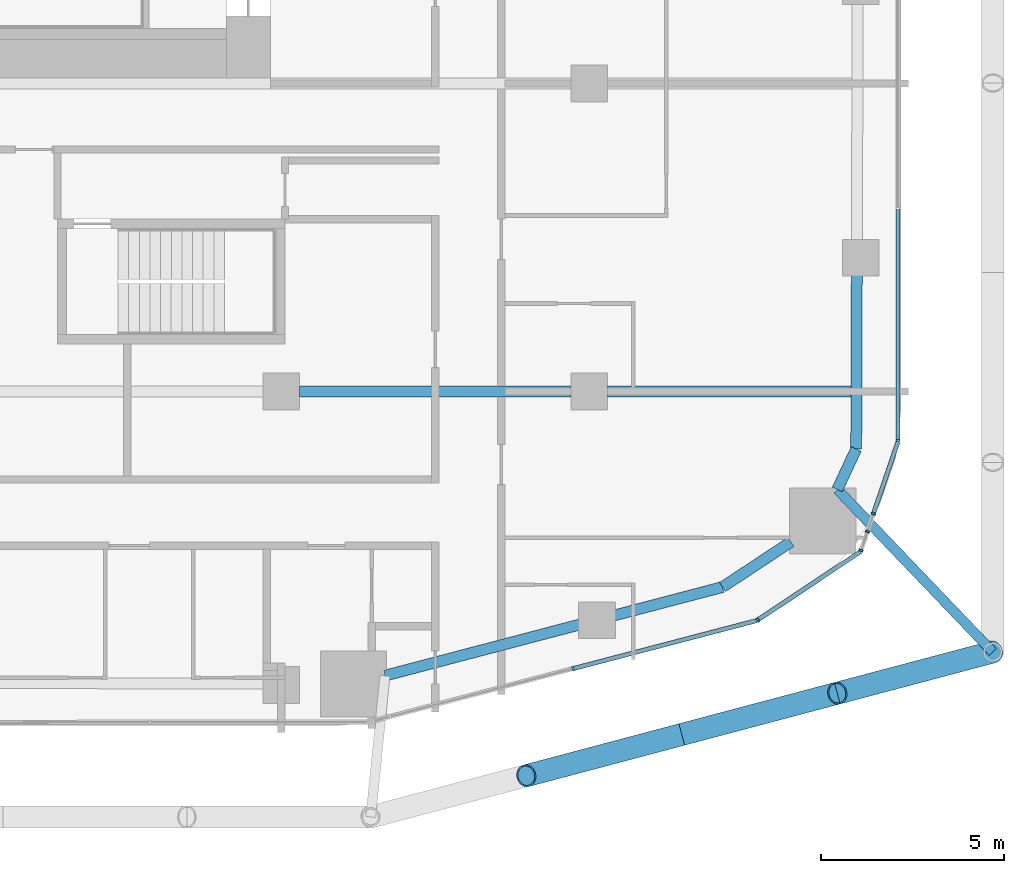
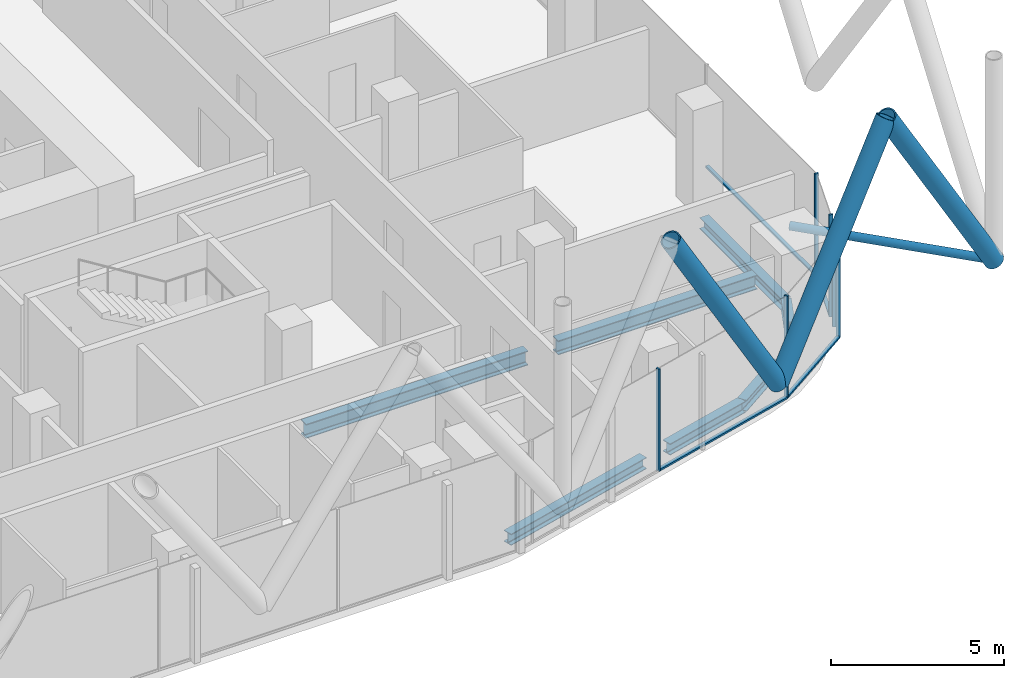
# One storey, part 6 of 34: 14 members, 7 beams, 6 elements without a shape of their own.
"""IFC4 building model written with IfcOpenShell, lengths in metres."""

from ifc_helpers import new_model, si_unit, direction, frame, origin, origin_2d, place, context, subcontext, project, spatial, rectangle, hollow_circle, i_section, extrude, material, layer, layer_set, material_profile, profile_set, type_object, element, aggregate, save


model = new_model("IFC4")

# Units and contexts
model_context = context("Model", 3, precision=1e-05, world=origin(), true_north=direction((0.0, 1.0)))
body_context = subcontext(model_context, "Body", "Model", "MODEL_VIEW")
ifc_project = project(units=[si_unit("LENGTHUNIT", "METRE"), si_unit("AREAUNIT", "SQUARE_METRE"), si_unit("VOLUMEUNIT", "CUBIC_METRE"), si_unit("PLANEANGLEUNIT", "RADIAN"), si_unit("MASSUNIT", "GRAM", prefix="KILO")], contexts=[model_context])

# Site, building, storey
site_placement = place(None, origin())
site = spatial("IfcSite", under=ifc_project, at=site_placement, CompositionType="ELEMENT")
building_placement = place(site_placement, origin())
building = spatial("IfcBuilding", under=site, at=building_placement, Name="Marenta Gate Hotel Tower", CompositionType="ELEMENT")
storey_placement = place(building_placement, frame((0.0, 0.0, 47.300048828125)))
storey = spatial("IfcBuildingStorey", under=building, at=storey_placement, Name="L09", CompositionType="ELEMENT", Elevation=47.300048828125)

# Members
ifc_material_1 = material(Name="Steel S355J2W", Category="steel")
ifc_material_profile_1 = material_profile(ifc_material_1, hollow_circle(Radius=0.304931640625, WallThickness=0.0400390625, at=origin_2d()), Name="CHS 610x40")
ifc_profile_set_1 = profile_set([ifc_material_profile_1], Name="Steel S355J2W")
member_type_1 = type_object("IfcMemberType", Name="Diagrid diagonal Z1 CHS 610x40", PredefinedType="BRACE", material=ifc_profile_set_1)
for number, where, z_axis, x_axis, name in (
    (1, (32.0, -15.500244140625, 3.139892578125), (-0.502925961678, -0.133405107407, 0.853972221087), (0.256391194513, -0.966573098827, 0.0), "L09-DG-11"),
    (2, (23.51953125, -17.75, 3.139892578125), (0.502924018666, 0.133433548941, 0.853968921838), (-0.256443187528, 0.96655930577, 0.0), "L09-DG-12"),
    (3, (23.51953125, -17.75, 3.139892578125), (-0.502924018666, -0.133433548941, 0.853968921838), (0.256443187528, -0.96655930577, 0.0), "L09-DG-13"),
):
    element("IfcMember", number, at=place(storey_placement, frame(where, z_axis=z_axis, x_axis=x_axis)), inside=storey, type_object=member_type_1, Name=name, PredefinedType="BRACE", context=body_context, shape_type="SweptSolid", body=[
        extrude(hollow_circle(Radius=0.304931640625, WallThickness=0.0400390625, at=origin_2d()), origin(), (0.0, 0.0, 1.0), 8.43115234375),
    ])

# Beams
ifc_material_2 = material(Name="Steel S355", Category="steel")
ifc_material_profile_2 = material_profile(ifc_material_2, i_section(OverallWidth=0.300048828125, OverallDepth=0.39990234375, WebThickness=0.013427734375, FlangeThickness=0.02392578125, FilletRadius=0.027099609375, at=origin_2d()), Name="HEB 400")
ifc_profile_set_2 = profile_set([ifc_material_profile_2], Name="Steel S355")
beam_type_1 = type_object("IfcBeamType", Name="Edge beam HEB 400", PredefinedType="SPANDREL", material=ifc_profile_set_2)
beam_1_placement = place(storey_placement, frame((28.291015625, -5.2119140625, -0.4599609375), z_axis=(-0.003337079684, -0.999994431934, 0.0), x_axis=(0.999994431934, -0.003337079684, 0.0)))
element("IfcBeam", 4, at=beam_1_placement, inside=storey, type_object=beam_type_1, Name="L09-EB-27", PredefinedType="SPANDREL", context=body_context, shape_type="SweptSolid", body=[
    extrude(i_section(OverallWidth=0.300048828125, OverallDepth=0.39990234375, WebThickness=0.013427734375, FlangeThickness=0.02392578125, FilletRadius=0.027099609375, at=origin_2d()), origin(), (0.0, 0.0, 1.0), 4.75537109375),
])
beam_2_placement = place(storey_placement, frame((28.275146484375, -9.96728515625, -0.4599609375), z_axis=(-0.423291965192, -0.905993329006, 0.0), x_axis=(0.905993329006, -0.423291965192, 0.0)))
element("IfcBeam", 5, at=beam_2_placement, inside=storey, type_object=beam_type_1, Name="L09-EB-28", PredefinedType="SPANDREL", context=body_context, shape_type="SweptSolid", body=[
    extrude(i_section(OverallWidth=0.300048828125, OverallDepth=0.39990234375, WebThickness=0.013427734375, FlangeThickness=0.02392578125, FilletRadius=0.027099609375, at=origin_2d()), origin(), (0.0, 0.0, 1.0), 1.21630859375),
])
beam_3_placement = place(storey_placement, frame((26.496337890625, -12.498291015625, -0.4599609375), z_axis=(-0.834510054819, -0.550992711754, 0.0), x_axis=(0.550992711754, -0.834510054819, 0.0)))
element("IfcBeam", 6, at=beam_3_placement, inside=storey, type_object=beam_type_1, Name="L09-EB-29", PredefinedType="SPANDREL", context=body_context, shape_type="SweptSolid", body=[
    extrude(i_section(OverallWidth=0.300048828125, OverallDepth=0.39990234375, WebThickness=0.013427734375, FlangeThickness=0.02392578125, FilletRadius=0.027099609375, at=origin_2d()), origin(), (0.0, 0.0, 1.0), 2.237060546875),
])
beam_4_placement = place(storey_placement, frame((24.62939453125, -13.73095703125, -0.4599609375), z_axis=(-0.967228272573, -0.253908386501, 0.0), x_axis=(0.253908386501, -0.967228272573, 0.0)))
element("IfcBeam", 7, at=beam_4_placement, inside=storey, type_object=beam_type_1, Name="L09-EB-30", PredefinedType="SPANDREL", context=body_context, shape_type="SweptSolid", body=[
    extrude(i_section(OverallWidth=0.300048828125, OverallDepth=0.39990234375, WebThickness=0.013427734375, FlangeThickness=0.02392578125, FilletRadius=0.027099609375, at=origin_2d()), origin(), (0.0, 0.0, 1.0), 3.0615234375),
])
beam_5_placement = place(storey_placement, frame((20.74560546875, -14.75048828125, -0.4599609375), z_axis=(-0.967231374294, -0.253896570638, 0.0), x_axis=(0.253896570638, -0.967231374294, 0.0)))
element("IfcBeam", 8, at=beam_5_placement, inside=storey, type_object=beam_type_1, Name="L09-EB-31", PredefinedType="SPANDREL", context=body_context, shape_type="SweptSolid", body=[
    extrude(i_section(OverallWidth=0.300048828125, OverallDepth=0.39990234375, WebThickness=0.013427734375, FlangeThickness=0.02392578125, FilletRadius=0.027099609375, at=origin_2d()), origin(), (0.0, 0.0, 1.0), 5.498291015625),
])

# Member
ifc_material_3 = material(Name="Steel S355J2W", Category="steel")
ifc_material_profile_3 = material_profile(ifc_material_3, hollow_circle(Radius=0.136474609375, WallThickness=0.012451171875, at=origin_2d()), Name="CHS 273x12.5")
ifc_profile_set_3 = profile_set([ifc_material_profile_3], Name="Steel S355J2W")
member_type_2 = type_object("IfcMemberType", Name="Floor tie CHS 273x12.5", PredefinedType="STRUT", material=ifc_profile_set_3)
member_1_placement = place(storey_placement, frame((32.0, -15.500244140625, 3.139892578125), z_axis=(-0.691351135911, 0.722518931845, 0.0), x_axis=(-0.722518931845, -0.691351135911, 0.0)))
element("IfcMember", 9, at=member_1_placement, inside=storey, type_object=member_type_2, Name="L09-DR-8", PredefinedType="STRUT", context=body_context, shape_type="SweptSolid", body=[
    extrude(hollow_circle(Radius=0.136474609375, WallThickness=0.012451171875, at=origin_2d()), origin(), (0.0, 0.0, 1.0), 6.12548828125),
])

# Beams
ifc_material_4 = material(Name="Steel S355", Category="steel")
ifc_material_profile_4 = material_profile(ifc_material_4, i_section(OverallWidth=0.300048828125, OverallDepth=0.5, WebThickness=0.014404296875, FlangeThickness=0.028076171875, FilletRadius=0.027099609375, at=origin_2d()), Name="HEB 500")
ifc_profile_set_4 = profile_set([ifc_material_profile_4], Name="Steel S355")
beam_type_2 = type_object("IfcBeamType", Name="Girder HEB 500", PredefinedType="BEAM", material=ifc_profile_set_4)
beam_6_placement = place(storey_placement, frame((13.10009765625, -8.39990234375, -0.510009765625), z_axis=(1.0, 0.0, 0.0), x_axis=(0.0, 1.0, 0.0)))
element("IfcBeam", 10, at=beam_6_placement, inside=storey, type_object=beam_type_2, Name="L09-GD-6", PredefinedType="BEAM", context=body_context, shape_type="SweptSolid", body=[
    extrude(i_section(OverallWidth=0.300048828125, OverallDepth=0.5, WebThickness=0.014404296875, FlangeThickness=0.028076171875, FilletRadius=0.027099609375, at=origin_2d()), origin(), (0.0, 0.0, 1.0), 7.39990234375),
])
beam_7_placement = place(storey_placement, frame((21.5, -8.39990234375, -0.510009765625), z_axis=(1.0, 0.0, 0.0), x_axis=(0.0, 1.0, 0.0)))
element("IfcBeam", 11, at=beam_7_placement, inside=storey, type_object=beam_type_2, Name="L09-GD-7", PredefinedType="BEAM", context=body_context, shape_type="SweptSolid", body=[
    extrude(i_section(OverallWidth=0.300048828125, OverallDepth=0.5, WebThickness=0.014404296875, FlangeThickness=0.028076171875, FilletRadius=0.027099609375, at=origin_2d()), origin(), (0.0, 0.0, 1.0), 6.63037109375),
])

# Curtain wall, member
ifc_material_5 = material(Name="Tinted insulated glass in bronze anodised frame", Category="glass")
ifc_layer = layer(ifc_material_5, 0.1201171875)
ifc_layer_set = layer_set([ifc_layer], Name="Tinted insulated glass in bronze anodised frame")
curtain_wall_type = type_object("IfcCurtainWallType", Name="Tower unitised curtain wall CW1", PredefinedType="NOTDEFINED", material=ifc_layer_set)
curtain_wall_1_placement = place(storey_placement, origin())
curtain_wall_1 = element("IfcCurtainWall", 12, at=curtain_wall_1_placement, inside=storey, type_object=curtain_wall_type, Name="CW1 run G13", PredefinedType="NOTDEFINED")
ifc_material_6 = material(Name="Bronze anodised aluminium", Category="aluminium")
ifc_material_profile_5 = material_profile(ifc_material_6, rectangle(XDim=0.1201171875, YDim=0.06005859375, at=origin_2d()), Name="Mullion CW1 60x120 bronze anodised aluminium")
ifc_profile_set_5 = profile_set([ifc_material_profile_5], Name="Bronze anodised aluminium")
member_type_3 = type_object("IfcMemberType", Name="Mullion CW1 60x120 bronze anodised aluminium", PredefinedType="MULLION", material=ifc_profile_set_5)
member_2_placement = place(storey_placement, frame((20.5546875, -15.95654296875, 0.0), z_axis=(0.0, 0.0, 1.0), x_axis=(-0.253363691666, 0.967371097224, 0.0)))
member_2 = element("IfcMember", 13, at=member_2_placement, type_object=member_type_3, Name="CW1 mullion 2", PredefinedType="MULLION", context=body_context, shape_type="SweptSolid", body=[
    extrude(rectangle(XDim=0.1201171875, YDim=0.06005859375, at=origin_2d()), origin(), (0.0, 0.0, 1.0), 3.599853515625),
])

curtain_wall_2_placement = place(storey_placement, origin())
curtain_wall_2 = element("IfcCurtainWall", 14, at=curtain_wall_2_placement, inside=storey, type_object=curtain_wall_type, Name="CW1 run G14", PredefinedType="NOTDEFINED")
member_3_placement = place(storey_placement, frame((25.592529296875, -14.626953125, 0.0), z_axis=(0.0, 0.0, 1.0), x_axis=(-0.554034324326, 0.832493824282, 0.0)))
member_3 = element("IfcMember", 15, at=member_3_placement, type_object=member_type_3, Name="CW1 mullion 1", PredefinedType="MULLION", context=body_context, shape_type="SweptSolid", body=[
    extrude(rectangle(XDim=0.1201171875, YDim=0.06005859375, at=origin_2d()), origin(), (0.0, 0.0, 1.0), 3.599853515625),
])

curtain_wall_3_placement = place(storey_placement, origin())
curtain_wall_3 = element("IfcCurtainWall", 16, at=curtain_wall_3_placement, inside=storey, type_object=curtain_wall_type, Name="CW1 run G15", PredefinedType="NOTDEFINED")
member_4_placement = place(storey_placement, frame((28.405517578125, -12.73291015625, 0.0), z_axis=(0.0, 0.0, 1.0), x_axis=(-0.946722456746, 0.322050601446, 0.0)))
member_4 = element("IfcMember", 17, at=member_4_placement, type_object=member_type_3, Name="CW1 mullion 1", PredefinedType="MULLION", context=body_context, shape_type="SweptSolid", body=[
    extrude(rectangle(XDim=0.1201171875, YDim=0.06005859375, at=origin_2d()), origin(), (0.0, 0.0, 1.0), 3.599853515625),
])
aggregate(curtain_wall_3, [member_4])

curtain_wall_4_placement = place(storey_placement, origin())
curtain_wall_4 = element("IfcCurtainWall", 18, at=curtain_wall_4_placement, inside=storey, type_object=curtain_wall_type, Name="CW1 run G16", PredefinedType="NOTDEFINED")
member_5_placement = place(storey_placement, frame((28.5810546875, -12.216552734375, 0.0), z_axis=(0.0, 0.0, 1.0), x_axis=(-0.946746478316, 0.321979977321, 0.0)))
member_5 = element("IfcMember", 19, at=member_5_placement, type_object=member_type_3, Name="CW1 mullion 1", PredefinedType="MULLION", context=body_context, shape_type="SweptSolid", body=[
    extrude(rectangle(XDim=0.1201171875, YDim=0.06005859375, at=origin_2d()), origin(), (0.0, 0.0, 1.0), 3.00048828125),
])
aggregate(curtain_wall_4, [member_5])

curtain_wall_5_placement = place(storey_placement, origin())
curtain_wall_5 = element("IfcCurtainWall", 20, at=curtain_wall_5_placement, inside=storey, type_object=curtain_wall_type, Name="CW1 run G17", PredefinedType="NOTDEFINED")
member_6_placement = place(storey_placement, frame((28.74560546875, -11.733154296875, 0.0), z_axis=(0.0, 0.0, 1.0), x_axis=(-0.946727867175, 0.322034696135, 0.0)))
member_6 = element("IfcMember", 21, at=member_6_placement, type_object=member_type_3, Name="CW1 mullion 1", PredefinedType="MULLION", context=body_context, shape_type="SweptSolid", body=[
    extrude(rectangle(XDim=0.1201171875, YDim=0.06005859375, at=origin_2d()), origin(), (0.0, 0.0, 1.0), 3.599853515625),
])

curtain_wall_6_placement = place(storey_placement, origin())
curtain_wall_6 = element("IfcCurtainWall", 22, at=curtain_wall_6_placement, inside=storey, type_object=curtain_wall_type, Name="CW1 run G18", PredefinedType="NOTDEFINED")
member_7_placement = place(storey_placement, frame((29.4140625, -9.738037109375, 0.0), z_axis=(0.0, 0.0, 1.0), x_axis=(-1.0, 0.0, 0.0)))
member_7 = element("IfcMember", 23, at=member_7_placement, type_object=member_type_3, Name="CW1 mullion 1", PredefinedType="MULLION", context=body_context, shape_type="SweptSolid", body=[
    extrude(rectangle(XDim=0.1201171875, YDim=0.06005859375, at=origin_2d()), origin(), (0.0, 0.0, 1.0), 3.599853515625),
])

# Member
ifc_material_7 = material(Name="Bronze anodised aluminium", Category="aluminium")
ifc_material_profile_6 = material_profile(ifc_material_7, rectangle(XDim=0.1201171875, YDim=0.06005859375, at=origin_2d()), Name="Transom CW1 60x120 bronze anodised aluminium")
ifc_profile_set_6 = profile_set([ifc_material_profile_6], Name="Bronze anodised aluminium")
member_type_4 = type_object("IfcMemberType", Name="Transom CW1 60x120 bronze anodised aluminium", PredefinedType="USERDEFINED", material=ifc_profile_set_6)
member_8_placement = place(storey_placement, frame((20.583740234375, -15.948974609375, 0.030029296875), z_axis=(0.967366692523, 0.253380508716, 0.0), x_axis=(-0.253380508716, 0.967366692523, 0.0)))
member_8 = element("IfcMember", 24, at=member_8_placement, type_object=member_type_4, Name="CW1 transom 2.1", ObjectType="TRANSOM", PredefinedType="USERDEFINED", context=body_context, shape_type="SweptSolid", body=[
    extrude(rectangle(XDim=0.1201171875, YDim=0.06005859375, at=origin_2d()), origin(), (0.0, 0.0, 1.0), 5.152099609375),
])

aggregate(curtain_wall_1, [member_2, member_8])

member_9_placement = place(storey_placement, frame((25.617431640625, -14.6103515625, 0.030029296875), z_axis=(0.832511449854, 0.554007839169, 0.0), x_axis=(-0.554007839169, 0.832511449854, 0.0)))
member_9 = element("IfcMember", 25, at=member_9_placement, type_object=member_type_4, Name="CW1 transom 1.1", ObjectType="TRANSOM", PredefinedType="USERDEFINED", context=body_context, shape_type="SweptSolid", body=[
    extrude(rectangle(XDim=0.1201171875, YDim=0.06005859375, at=origin_2d()), origin(), (0.0, 0.0, 1.0), 3.337158203125),
])

aggregate(curtain_wall_2, [member_3, member_9])

member_10_placement = place(storey_placement, frame((28.755126953125, -11.70458984375, 0.030029296875), z_axis=(0.322129530248, 0.94669560353, 0.0), x_axis=(-0.94669560353, 0.322129530248, 0.0)))
member_10 = element("IfcMember", 26, at=member_10_placement, type_object=member_type_4, Name="CW1 transom 1.1", ObjectType="TRANSOM", PredefinedType="USERDEFINED", context=body_context, shape_type="SweptSolid", body=[
    extrude(rectangle(XDim=0.1201171875, YDim=0.06005859375, at=origin_2d()), origin(), (0.0, 0.0, 1.0), 2.045654296875),
])

aggregate(curtain_wall_5, [member_6, member_10])

member_11_placement = place(storey_placement, frame((29.4140625, -9.7080078125, 0.030029296875), z_axis=(0.0, 1.0, 0.0), x_axis=(-1.0, 0.0, 0.0)))
member_11 = element("IfcMember", 27, at=member_11_placement, type_object=member_type_4, Name="CW1 transom 1.1", ObjectType="TRANSOM", PredefinedType="USERDEFINED", context=body_context, shape_type="SweptSolid", body=[
    extrude(rectangle(XDim=0.1201171875, YDim=0.06005859375, at=origin_2d()), origin(), (0.0, 0.0, 1.0), 6.27001953125),
])

aggregate(curtain_wall_6, [member_7, member_11])

save(model, "model.ifc")
